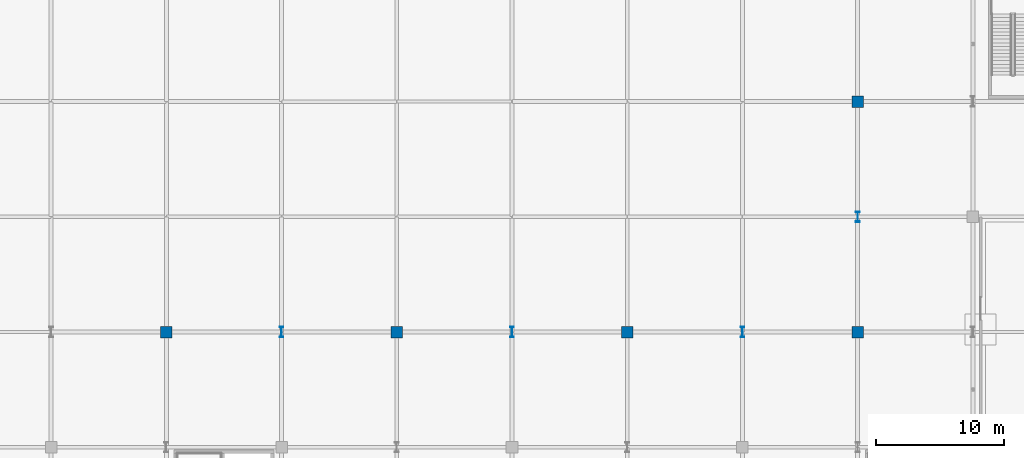
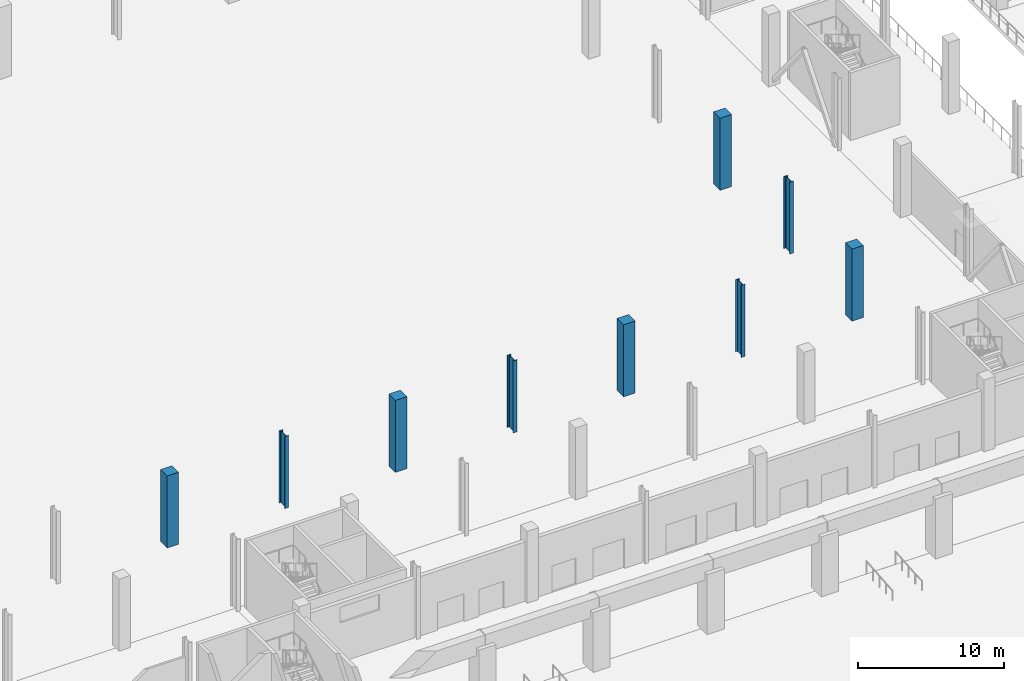
# One storey, part 7 of 58: 9 columns.
"""IFC4 building model written with IfcOpenShell, lengths in metres."""

import ifcopenshell
import ifcopenshell.guid

model = None  # the IFC model being written
_history = None  # IfcOwnerHistory: only IFC2X3 demands one
_inside = {}  # id of a spatial element -> (the spatial element, [elements in it])
_under = {}  # id of a project, library or spatial element -> (it, [spatial elements below it])
_declared = {}  # id of a project -> (the project, [libraries it declares])
_typed = {}  # id of a type object -> (the type object, [elements of that type])
_made_of = {}  # id of a material, layer set ... -> (it, [elements and type objects made of it])


def new_model(schema):
    """Start an empty IFC model of exactly this schema.

    Asked for "IFC4X3", IfcOpenShell would pick the latest addendum, in which some entities
    have other attributes; the version numbers below select the first issue.
    IFC2X3 requires an IfcOwnerHistory on every rooted entity: one is made here for all.
    """
    global model, _history
    if schema == "IFC4X3":
        model = ifcopenshell.file(schema_version=(4, 3, 0, 0))
    else:
        model = ifcopenshell.file(schema=schema)
    _inside.clear()
    _under.clear()
    _declared.clear()
    _typed.clear()
    _made_of.clear()
    _history = None
    if model.schema == "IFC2X3":
        org = make("IfcOrganization", Name="unknown")
        user = make(
            "IfcPersonAndOrganization",
            ThePerson=make("IfcPerson", FamilyName="unknown"),
            TheOrganization=org,
        )
        app = make(
            "IfcApplication",
            ApplicationDeveloper=org,
            Version="unknown",
            ApplicationFullName="unknown",
            ApplicationIdentifier="unknown",
        )
        _history = make(
            "IfcOwnerHistory",
            OwningUser=user,
            OwningApplication=app,
            ChangeAction="ADDED",
            CreationDate=0,
        )
    return model


def make(cls, **values):
    """One entity of the class cls with the attributes given. An attribute that is None is left unset."""
    return model.create_entity(
        cls, **{name: value for name, value in values.items() if value is not None}
    )


def rooted(cls, **values):
    """An entity with a GlobalId (a new one), such as an element, a storey or a relation."""
    return make(cls, GlobalId=ifcopenshell.guid.new(), OwnerHistory=_history, **values)


def si_unit(unit_type, name, prefix=None):
    """IfcSIUnit, for example si_unit("LENGTHUNIT", "METRE", prefix="MILLI")."""
    return make("IfcSIUnit", UnitType=unit_type, Prefix=prefix, Name=name)


def assignment(units):
    """IfcUnitAssignment: the units of a project."""
    return None if units is None else make("IfcUnitAssignment", Units=units)


def point(xyz):
    """IfcCartesianPoint."""
    return None if xyz is None else make("IfcCartesianPoint", Coordinates=xyz)


def direction(xyz):
    """IfcDirection."""
    return None if xyz is None else make("IfcDirection", DirectionRatios=xyz)


def frame(location, z_axis=None, x_axis=None):
    """IfcAxis2Placement3D, a coordinate frame: its origin and axes. An axis left out is left unset."""
    return make(
        "IfcAxis2Placement3D",
        Location=point(location),
        Axis=direction(z_axis),
        RefDirection=direction(x_axis),
    )


def frame_2d(location, x_axis=None):
    """IfcAxis2Placement2D, a coordinate frame in the plane: its origin and x axis."""
    return make(
        "IfcAxis2Placement2D", Location=point(location), RefDirection=direction(x_axis)
    )


def origin():
    """The frame at (0, 0, 0) with its axes left unset."""
    return frame((0.0, 0.0, 0.0))


def origin_2d():
    """The frame at (0, 0) in the plane with its x axis left unset."""
    return frame_2d((0.0, 0.0))


def place(relative_to, where):
    """IfcLocalPlacement: puts the frame where relative to a parent placement (None: the world)."""
    return make(
        "IfcLocalPlacement", PlacementRelTo=relative_to, RelativePlacement=where
    )


def context(
    kind, dimensions, precision=None, world=None, true_north=None, identifier=None
):
    """IfcGeometricRepresentationContext, for example the 3D "Model" context."""
    return make(
        "IfcGeometricRepresentationContext",
        ContextIdentifier=identifier,
        ContextType=kind,
        CoordinateSpaceDimension=dimensions,
        Precision=precision,
        WorldCoordinateSystem=world,
        TrueNorth=true_north,
    )


def subcontext(parent, identifier, kind, view, scale=None):
    """IfcGeometricRepresentationSubContext, for example "Body" below "Model"."""
    return make(
        "IfcGeometricRepresentationSubContext",
        ContextIdentifier=identifier,
        ContextType=kind,
        ParentContext=parent,
        TargetScale=scale,
        TargetView=view,
    )


def project(units=None, contexts=None):
    """IfcProject with its units and contexts."""
    return rooted(
        "IfcProject",
        Name="project",
        RepresentationContexts=contexts,
        UnitsInContext=assignment(units),
    )


def spatial(cls, under=None, at=None, **own):
    """A site, building, storey or space (cls), placed at a placement, below another one or the project."""
    s = rooted(cls, ObjectPlacement=at, **own)
    if under is not None:
        _under.setdefault(under.id(), (under, []))[1].append(s)
    return s


def profile(cls, at=None, kind="AREA", **sizes):
    """A parametric profile (cls). Its sizes go by their IFC names, for example OverallWidth=200.0."""
    return make(cls, ProfileType=kind, Position=at, **sizes)


def rectangle(**sizes):
    """IfcRectangleProfileDef."""
    return profile("IfcRectangleProfileDef", **sizes)


def i_section(**sizes):
    """IfcIShapeProfileDef."""
    return profile("IfcIShapeProfileDef", **sizes)


def extrude(swept, where, along, depth):
    """IfcExtrudedAreaSolid: the profile swept, set in the frame where, extruded along a direction by depth."""
    return make(
        "IfcExtrudedAreaSolid",
        SweptArea=swept,
        Position=where,
        ExtrudedDirection=direction(along),
        Depth=depth,
    )


def shape(context_of_items, identifier, shape_type, items):
    """IfcShapeRepresentation: the items that make up one representation, for example the "Body"."""
    return make(
        "IfcShapeRepresentation",
        ContextOfItems=context_of_items,
        RepresentationIdentifier=identifier,
        RepresentationType=shape_type,
        Items=items,
    )


def material(Name=None, Category=None):
    """IfcMaterial."""
    return make("IfcMaterial", Name=Name, Category=Category)


def material_profile(
    of_material, cross_section, Name=None, Category=None, Priority=None
):
    """IfcMaterialProfile: a cross section and its material."""
    return make(
        "IfcMaterialProfile",
        Name=Name,
        Material=of_material,
        Profile=cross_section,
        Priority=Priority,
        Category=Category,
    )


def profile_set(profiles, Name=None, composite=None):
    """IfcMaterialProfileSet."""
    return make(
        "IfcMaterialProfileSet",
        Name=Name,
        MaterialProfiles=profiles,
        CompositeProfile=composite,
    )


def made_of(thing, what):
    """Note that an element or type object is made of a material, layer set ...; save() writes the relation."""
    if what is not None:
        _made_of.setdefault(what.id(), (what, []))[1].append(thing)
    return thing


def type_object(cls, material=None, **own):
    """A type object (cls), such as IfcWallType, which elements share."""
    return made_of(rooted(cls, **own), material)


def element(
    cls,
    number,
    at=None,
    inside=None,
    cuts=None,
    type_object=None,
    material=None,
    context=None,
    identifier="Body",
    shape_type=None,
    held_by="IfcProductDefinitionShape",
    body=None,
    shapes=None,
    **own,
):
    """One element of the class cls, such as IfcWall. Its Tag is "e" and its number.

    at: its placement. inside: the storey or other place that contains it. cuts: it is an
    opening in that element (IfcRelVoidsElement). A single representation is given by context,
    identifier, shape_type and body (its items); several are given by shapes. held_by: the class
    of the entity that holds the representations. save() writes the other relations.
    """
    e = rooted(cls, Tag="e%d" % number, ObjectPlacement=at, **own)
    if body is not None:
        shapes = [shape(context, identifier, shape_type, body)]
    if shapes is not None:
        e.Representation = make(held_by, Representations=shapes)
    if inside is not None:
        _inside.setdefault(inside.id(), (inside, []))[1].append(e)
    if cuts is not None:
        rooted(
            "IfcRelVoidsElement", RelatingBuildingElement=cuts, RelatedOpeningElement=e
        )
    if type_object is not None:
        _typed.setdefault(type_object.id(), (type_object, []))[1].append(e)
    return made_of(e, material)


def aggregate(whole, parts):
    """IfcRelAggregates: a whole, such as a stair, and the parts it consists of."""
    return rooted("IfcRelAggregates", RelatingObject=whole, RelatedObjects=parts)


def save(model, path):
    """Write the relations noted so far, then the file.

    IfcRelAggregates (storeys below a building ...), IfcRelContainedInSpatialStructure (elements
    in a storey), IfcRelDefinesByType, IfcRelAssociatesMaterial and IfcRelDeclares: one each for
    every whole, place, type object, material and project.
    """
    for whole, parts in _under.values():
        aggregate(whole, parts)
    for where, things in _inside.values():
        rooted(
            "IfcRelContainedInSpatialStructure",
            RelatedElements=things,
            RelatingStructure=where,
        )
    for kind, things in _typed.values():
        rooted("IfcRelDefinesByType", RelatedObjects=things, RelatingType=kind)
    for what, things in _made_of.values():
        rooted("IfcRelAssociatesMaterial", RelatedObjects=things, RelatingMaterial=what)
    for by, libraries in _declared.values():
        rooted("IfcRelDeclares", RelatingContext=by, RelatedDefinitions=libraries)
    model.write(path)


model = new_model("IFC4")

# Units and contexts
model_context = context("Model", 3, precision=1e-05, world=origin(), true_north=direction((0.0, 1.0)))
body_context = subcontext(model_context, "Body", "Model", "MODEL_VIEW")
ifc_project = project(units=[si_unit("LENGTHUNIT", "METRE"), si_unit("AREAUNIT", "SQUARE_METRE"), si_unit("VOLUMEUNIT", "CUBIC_METRE"), si_unit("PLANEANGLEUNIT", "RADIAN"), si_unit("MASSUNIT", "GRAM", prefix="KILO")], contexts=[model_context])

# Site, building, storey
site_placement = place(None, origin())
site = spatial("IfcSite", under=ifc_project, at=site_placement, CompositionType="ELEMENT")
building_placement = place(site_placement, origin())
building = spatial("IfcBuilding", under=site, at=building_placement, Name="Barlavento Convention Centre", CompositionType="ELEMENT")
storey_placement = place(building_placement, origin())
storey = spatial("IfcBuildingStorey", under=building, at=storey_placement, Name="L00", CompositionType="ELEMENT", Elevation=0.0)

# Columns
ifc_material_1 = material(Name="Steel S460", Category="steel")
ifc_material_profile_1 = material_profile(ifc_material_1, i_section(OverallWidth=0.302978515625, OverallDepth=0.81396484375, WebThickness=0.02099609375, FlangeThickness=0.0400390625, FilletRadius=0.030029296875, at=origin_2d()), Name="HEM 800")
ifc_profile_set_1 = profile_set([ifc_material_profile_1], Name="Steel S460")
column_type_1 = type_object("IfcColumnType", Name="STR-COL-HEM800", PredefinedType="COLUMN", material=ifc_profile_set_1)
for number, where, z_axis, x_axis, name in (
    (1, (72.0, 63.0, 0.0), (0.0, 0.0, 1.0), (1.0, 0.0, 0.0), "L00 column SC02"),
    (2, (90.0, 63.0, 0.0), (0.0, 0.0, 1.0), (1.0, 0.0, 0.0), "L00 column SC02"),
    (3, (108.0, 63.0, 0.0), (0.0, 0.0, 1.0), (1.0, 0.0, 0.0), "L00 column SC02"),
    (4, (117.0, 72.0, 0.0), (0.0, 0.0, 1.0), (1.0, 0.0, 0.0), "L00 column SC02"),
):
    element("IfcColumn", number, at=place(storey_placement, frame(where, z_axis=z_axis, x_axis=x_axis)), inside=storey, type_object=column_type_1, Name=name, PredefinedType="COLUMN", context=body_context, shape_type="SweptSolid", body=[
        extrude(i_section(OverallWidth=0.302978515625, OverallDepth=0.81396484375, WebThickness=0.02099609375, FlangeThickness=0.0400390625, FilletRadius=0.030029296875, at=origin_2d()), origin(), (0.0, 0.0, 1.0), 6.0),
    ])
ifc_material_2 = material(Name="Concrete C50/60", Category="concrete")
ifc_material_profile_2 = material_profile(ifc_material_2, rectangle(XDim=0.89990234375, YDim=0.89990234375, at=origin_2d()), Name="RC 900x900")
ifc_profile_set_2 = profile_set([ifc_material_profile_2], Name="Concrete C50/60")
column_type_2 = type_object("IfcColumnType", Name="STR-COL-RC900", PredefinedType="COLUMN", material=ifc_profile_set_2)
for number, where, z_axis, x_axis, name in (
    (5, (63.0, 63.0, 0.0), (0.0, 0.0, 1.0), (1.0, 0.0, 0.0), "L00 column CC04"),
    (6, (81.0, 63.0, 0.0), (0.0, 0.0, 1.0), (1.0, 0.0, 0.0), "L00 column CC04"),
    (7, (99.0, 63.0, 0.0), (0.0, 0.0, 1.0), (1.0, 0.0, 0.0), "L00 column CC04"),
    (8, (117.0, 63.0, 0.0), (0.0, 0.0, 1.0), (1.0, 0.0, 0.0), "L00 column CC04"),
    (9, (117.0, 81.0, 0.0), (0.0, 0.0, 1.0), (1.0, 0.0, 0.0), "L00 column CC04"),
):
    element("IfcColumn", number, at=place(storey_placement, frame(where, z_axis=z_axis, x_axis=x_axis)), inside=storey, type_object=column_type_2, Name=name, PredefinedType="COLUMN", context=body_context, shape_type="SweptSolid", body=[
        extrude(rectangle(XDim=0.89990234375, YDim=0.89990234375, at=origin_2d()), origin(), (0.0, 0.0, 1.0), 6.0),
    ])

save(model, "model.ifc")
